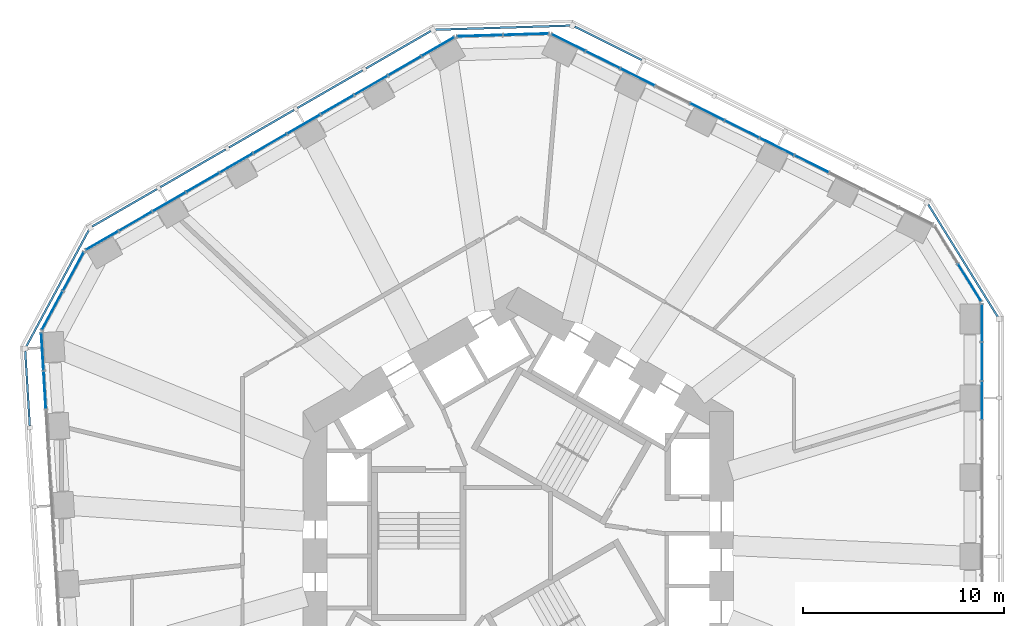
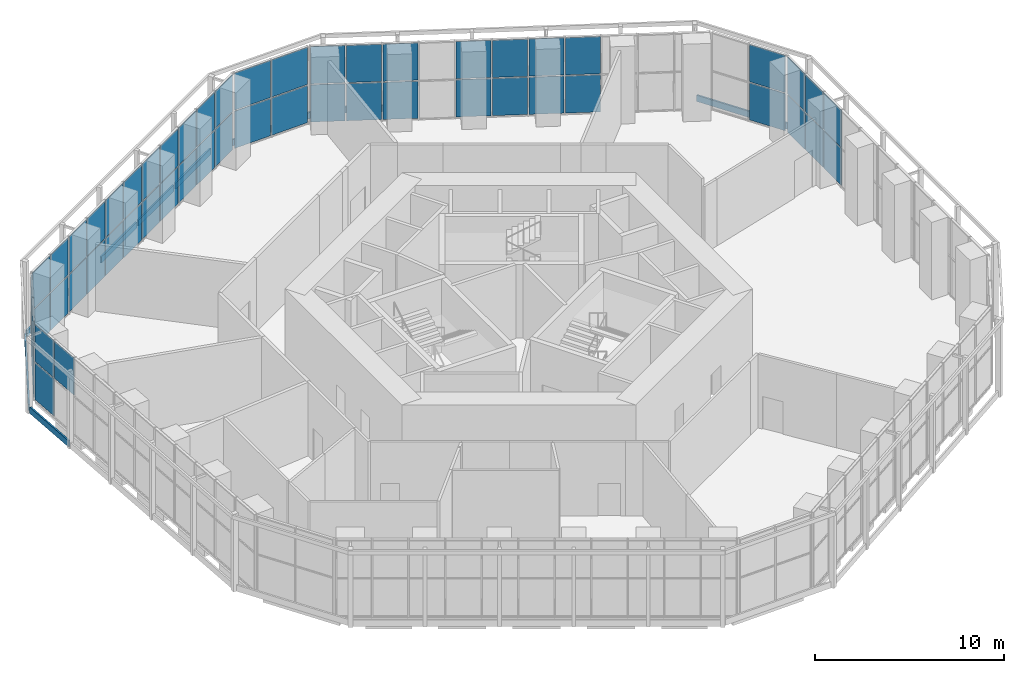
# One storey, part 12 of 19: 65 plates, 13 elements without a shape of their own.
"""IFC4 building model written with IfcOpenShell, lengths in metres."""

from ifc_helpers import new_model, si_unit, direction, frame, origin, origin_2d, place, context, subcontext, project, spatial, rectangle, extrude, material, layer, layer_set, type_object, element, aggregate, save


model = new_model("IFC4")

# Units and contexts
model_context = context("Model", 3, precision=1e-05, world=origin(), true_north=direction((0.0, 1.0)))
body_context = subcontext(model_context, "Body", "Model", "MODEL_VIEW")
ifc_project = project(units=[si_unit("LENGTHUNIT", "METRE"), si_unit("AREAUNIT", "SQUARE_METRE"), si_unit("VOLUMEUNIT", "CUBIC_METRE"), si_unit("PLANEANGLEUNIT", "RADIAN"), si_unit("MASSUNIT", "GRAM", prefix="KILO")], contexts=[model_context])

# Site, building, storey
site_placement = place(None, origin())
site = spatial("IfcSite", under=ifc_project, at=site_placement, CompositionType="ELEMENT")
building_placement = place(site_placement, origin())
building = spatial("IfcBuilding", under=site, at=building_placement, Name="Vanh Sen Convention Tower", CompositionType="ELEMENT")
storey_placement = place(building_placement, frame((0.0, 0.0, 39.0)))
storey = spatial("IfcBuildingStorey", under=building, at=storey_placement, Name="L06", CompositionType="ELEMENT", Elevation=39.0)

# Curtain wall, plates
ifc_material_1 = material(Name="Aluminium structural glazing system", Category="aluminium")
curtain_wall_type_1 = type_object("IfcCurtainWallType", Name="Hotel lobby structural glazing", PredefinedType="NOTDEFINED", material=ifc_material_1)
curtain_wall_1_placement = place(storey_placement, origin())
curtain_wall_1 = element("IfcCurtainWall", 1, at=curtain_wall_1_placement, inside=storey, type_object=curtain_wall_type_1, Name="Hotel lobby glazing E L06", PredefinedType="NOTDEFINED")
ifc_material_2 = material(Name="Clear toughened safety glass", Category="glass")
ifc_layer_1 = layer(ifc_material_2, 0.035888671875)
ifc_layer_set_1 = layer_set([ifc_layer_1], Name="Clear toughened safety glass")
plate_type_1 = type_object("IfcPlateType", Name="Lobby glazing clear glass panel 36", PredefinedType="CURTAIN_PANEL", material=ifc_layer_set_1)
plate_1_placement = place(storey_placement, frame((23.050048828125, 6.73095703125, 0.070068359375), z_axis=(0.0, 0.0, 1.0), x_axis=(0.0, 1.0, 0.0)))
plate_1 = element("IfcPlate", 2, at=plate_1_placement, type_object=plate_type_1, Name="CW2 panel 9.1", PredefinedType="CURTAIN_PANEL", context=body_context, shape_type="SweptSolid", body=[
    extrude(rectangle(XDim=1.861572265625, YDim=0.035888671875, at=origin_2d()), origin(), (0.0, 0.0, 1.0), 2.39501953125),
])
plate_2_placement = place(storey_placement, frame((23.050048828125, 6.73095703125, 2.534912109375), z_axis=(0.0, 0.0, 1.0), x_axis=(0.0, 1.0, 0.0)))
plate_2 = element("IfcPlate", 3, at=plate_2_placement, type_object=plate_type_1, Name="CW2 panel 9.2", PredefinedType="CURTAIN_PANEL", context=body_context, shape_type="SweptSolid", body=[
    extrude(rectangle(XDim=1.861572265625, YDim=0.035888671875, at=origin_2d()), origin(), (0.0, 0.0, 1.0), 2.39501953125),
])
plate_3_placement = place(storey_placement, frame((23.050048828125, 8.662353515625, 0.070068359375), z_axis=(0.0, 0.0, 1.0), x_axis=(0.0, 1.0, 0.0)))
plate_3 = element("IfcPlate", 4, at=plate_3_placement, type_object=plate_type_1, Name="CW2 panel 10.1", PredefinedType="CURTAIN_PANEL", context=body_context, shape_type="SweptSolid", body=[
    extrude(rectangle(XDim=1.861572265625, YDim=0.035888671875, at=origin_2d()), origin(), (0.0, 0.0, 1.0), 2.39501953125),
])
plate_4_placement = place(storey_placement, frame((23.050048828125, 8.662353515625, 2.534912109375), z_axis=(0.0, 0.0, 1.0), x_axis=(0.0, 1.0, 0.0)))
plate_4 = element("IfcPlate", 5, at=plate_4_placement, type_object=plate_type_1, Name="CW2 panel 10.2", PredefinedType="CURTAIN_PANEL", context=body_context, shape_type="SweptSolid", body=[
    extrude(rectangle(XDim=1.861572265625, YDim=0.035888671875, at=origin_2d()), origin(), (0.0, 0.0, 1.0), 2.39501953125),
])
plate_5_placement = place(storey_placement, frame((23.050048828125, 10.576171875, 0.070068359375), z_axis=(0.0, 0.0, 1.0), x_axis=(0.0, 1.0, 0.0)))
plate_5 = element("IfcPlate", 6, at=plate_5_placement, type_object=plate_type_1, Name="CW2 panel 11.1", PredefinedType="CURTAIN_PANEL", context=body_context, shape_type="SweptSolid", body=[
    extrude(rectangle(XDim=1.826416015625, YDim=0.035888671875, at=origin_2d()), origin(), (0.0, 0.0, 1.0), 2.39501953125),
])
plate_6_placement = place(storey_placement, frame((23.050048828125, 10.576171875, 2.534912109375), z_axis=(0.0, 0.0, 1.0), x_axis=(0.0, 1.0, 0.0)))
plate_6 = element("IfcPlate", 7, at=plate_6_placement, type_object=plate_type_1, Name="CW2 panel 11.2", PredefinedType="CURTAIN_PANEL", context=body_context, shape_type="SweptSolid", body=[
    extrude(rectangle(XDim=1.826416015625, YDim=0.035888671875, at=origin_2d()), origin(), (0.0, 0.0, 1.0), 2.39501953125),
])
aggregate(curtain_wall_1, [plate_1, plate_2, plate_3, plate_4, plate_5, plate_6])

curtain_wall_2_placement = place(storey_placement, origin())
curtain_wall_2 = element("IfcCurtainWall", 8, at=curtain_wall_2_placement, inside=storey, type_object=curtain_wall_type_1, Name="Hotel lobby glazing CH1 L06", PredefinedType="NOTDEFINED")
plate_7_placement = place(storey_placement, frame((22.4345703125, 12.582275390625, 0.070068359375), z_axis=(0.0, 0.0, 1.0), x_axis=(-0.526205222812, 0.850357609177, 0.0)))
plate_7 = element("IfcPlate", 9, at=plate_7_placement, type_object=plate_type_1, Name="CW2 panel 1.1", PredefinedType="CURTAIN_PANEL", context=body_context, shape_type="SweptSolid", body=[
    extrude(rectangle(XDim=2.141845703125, YDim=0.035888671875, at=origin_2d()), origin(), (0.0, 0.0, 1.0), 2.39501953125),
])
plate_8_placement = place(storey_placement, frame((22.4345703125, 12.582275390625, 2.534912109375), z_axis=(0.0, 0.0, 1.0), x_axis=(-0.526205222812, 0.850357609177, 0.0)))
plate_8 = element("IfcPlate", 10, at=plate_8_placement, type_object=plate_type_1, Name="CW2 panel 1.2", PredefinedType="CURTAIN_PANEL", context=body_context, shape_type="SweptSolid", body=[
    extrude(rectangle(XDim=2.141845703125, YDim=0.035888671875, at=origin_2d()), origin(), (0.0, 0.0, 1.0), 2.39501953125),
])
aggregate(curtain_wall_2, [plate_7, plate_8])

curtain_wall_3_placement = place(storey_placement, origin())
curtain_wall_3 = element("IfcCurtainWall", 11, at=curtain_wall_3_placement, inside=storey, type_object=curtain_wall_type_1, Name="Hotel lobby glazing NE L06", PredefinedType="NOTDEFINED")
plate_9_placement = place(storey_placement, frame((14.580078125, 18.48681640625, 0.070068359375), z_axis=(0.0, 0.0, 1.0), x_axis=(-0.89493400144, 0.446198535483, 0.0)))
plate_9 = element("IfcPlate", 12, at=plate_9_placement, type_object=plate_type_1, Name="CW2 panel 4.1", PredefinedType="CURTAIN_PANEL", context=body_context, shape_type="SweptSolid", body=[
    extrude(rectangle(XDim=1.861572265625, YDim=0.035888671875, at=origin_2d()), origin(), (0.0, 0.0, 1.0), 2.39501953125),
])
plate_10_placement = place(storey_placement, frame((14.580078125, 18.48681640625, 2.534912109375), z_axis=(0.0, 0.0, 1.0), x_axis=(-0.89493400144, 0.446198535483, 0.0)))
plate_10 = element("IfcPlate", 13, at=plate_10_placement, type_object=plate_type_1, Name="CW2 panel 4.2", PredefinedType="CURTAIN_PANEL", context=body_context, shape_type="SweptSolid", body=[
    extrude(rectangle(XDim=1.861572265625, YDim=0.035888671875, at=origin_2d()), origin(), (0.0, 0.0, 1.0), 2.39501953125),
])
plate_11_placement = place(storey_placement, frame((12.8515625, 19.3486328125, 0.070068359375), z_axis=(0.0, 0.0, 1.0), x_axis=(-0.89493400144, 0.446198535483, 0.0)))
plate_11 = element("IfcPlate", 14, at=plate_11_placement, type_object=plate_type_1, Name="CW2 panel 5.1", PredefinedType="CURTAIN_PANEL", context=body_context, shape_type="SweptSolid", body=[
    extrude(rectangle(XDim=1.861572265625, YDim=0.035888671875, at=origin_2d()), origin(), (0.0, 0.0, 1.0), 2.39501953125),
])
plate_12_placement = place(storey_placement, frame((12.8515625, 19.3486328125, 2.534912109375), z_axis=(0.0, 0.0, 1.0), x_axis=(-0.89493400144, 0.446198535483, 0.0)))
plate_12 = element("IfcPlate", 15, at=plate_12_placement, type_object=plate_type_1, Name="CW2 panel 5.2", PredefinedType="CURTAIN_PANEL", context=body_context, shape_type="SweptSolid", body=[
    extrude(rectangle(XDim=1.861572265625, YDim=0.035888671875, at=origin_2d()), origin(), (0.0, 0.0, 1.0), 2.39501953125),
])
plate_13_placement = place(storey_placement, frame((11.123046875, 20.21044921875, 0.070068359375), z_axis=(0.0, 0.0, 1.0), x_axis=(-0.89493400144, 0.446198535483, 0.0)))
plate_13 = element("IfcPlate", 16, at=plate_13_placement, type_object=plate_type_1, Name="CW2 panel 6.1", PredefinedType="CURTAIN_PANEL", context=body_context, shape_type="SweptSolid", body=[
    extrude(rectangle(XDim=1.861572265625, YDim=0.035888671875, at=origin_2d()), origin(), (0.0, 0.0, 1.0), 2.39501953125),
])
plate_14_placement = place(storey_placement, frame((11.123046875, 20.21044921875, 2.534912109375), z_axis=(0.0, 0.0, 1.0), x_axis=(-0.89493400144, 0.446198535483, 0.0)))
plate_14 = element("IfcPlate", 17, at=plate_14_placement, type_object=plate_type_1, Name="CW2 panel 6.2", PredefinedType="CURTAIN_PANEL", context=body_context, shape_type="SweptSolid", body=[
    extrude(rectangle(XDim=1.861572265625, YDim=0.035888671875, at=origin_2d()), origin(), (0.0, 0.0, 1.0), 2.39501953125),
])
plate_15_placement = place(storey_placement, frame((9.39453125, 21.072265625, 0.070068359375), z_axis=(0.0, 0.0, 1.0), x_axis=(-0.89493400144, 0.446198535483, 0.0)))
plate_15 = element("IfcPlate", 18, at=plate_15_placement, type_object=plate_type_1, Name="CW2 panel 7.1", PredefinedType="CURTAIN_PANEL", context=body_context, shape_type="SweptSolid", body=[
    extrude(rectangle(XDim=1.861572265625, YDim=0.035888671875, at=origin_2d()), origin(), (0.0, 0.0, 1.0), 2.39501953125),
])
plate_16_placement = place(storey_placement, frame((9.39453125, 21.072265625, 2.534912109375), z_axis=(0.0, 0.0, 1.0), x_axis=(-0.89493400144, 0.446198535483, 0.0)))
plate_16 = element("IfcPlate", 19, at=plate_16_placement, type_object=plate_type_1, Name="CW2 panel 7.2", PredefinedType="CURTAIN_PANEL", context=body_context, shape_type="SweptSolid", body=[
    extrude(rectangle(XDim=1.861572265625, YDim=0.035888671875, at=origin_2d()), origin(), (0.0, 0.0, 1.0), 2.39501953125),
])
plate_17_placement = place(storey_placement, frame((5.937255859375, 22.7958984375, 0.070068359375), z_axis=(0.0, 0.0, 1.0), x_axis=(-0.89493400144, 0.446198535483, 0.0)))
plate_17 = element("IfcPlate", 20, at=plate_17_placement, type_object=plate_type_1, Name="CW2 panel 9.1", PredefinedType="CURTAIN_PANEL", context=body_context, shape_type="SweptSolid", body=[
    extrude(rectangle(XDim=1.861572265625, YDim=0.035888671875, at=origin_2d()), origin(), (0.0, 0.0, 1.0), 2.39501953125),
])
plate_18_placement = place(storey_placement, frame((5.937255859375, 22.7958984375, 2.534912109375), z_axis=(0.0, 0.0, 1.0), x_axis=(-0.89493400144, 0.446198535483, 0.0)))
plate_18 = element("IfcPlate", 21, at=plate_18_placement, type_object=plate_type_1, Name="CW2 panel 9.2", PredefinedType="CURTAIN_PANEL", context=body_context, shape_type="SweptSolid", body=[
    extrude(rectangle(XDim=1.861572265625, YDim=0.035888671875, at=origin_2d()), origin(), (0.0, 0.0, 1.0), 2.39501953125),
])
plate_19_placement = place(storey_placement, frame((4.208740234375, 23.65771484375, 0.070068359375), z_axis=(0.0, 0.0, 1.0), x_axis=(-0.89493400144, 0.446198535483, 0.0)))
plate_19 = element("IfcPlate", 22, at=plate_19_placement, type_object=plate_type_1, Name="CW2 panel 10.1", PredefinedType="CURTAIN_PANEL", context=body_context, shape_type="SweptSolid", body=[
    extrude(rectangle(XDim=1.861572265625, YDim=0.035888671875, at=origin_2d()), origin(), (0.0, 0.0, 1.0), 2.39501953125),
])
plate_20_placement = place(storey_placement, frame((4.208740234375, 23.65771484375, 2.534912109375), z_axis=(0.0, 0.0, 1.0), x_axis=(-0.89493400144, 0.446198535483, 0.0)))
plate_20 = element("IfcPlate", 23, at=plate_20_placement, type_object=plate_type_1, Name="CW2 panel 10.2", PredefinedType="CURTAIN_PANEL", context=body_context, shape_type="SweptSolid", body=[
    extrude(rectangle(XDim=1.861572265625, YDim=0.035888671875, at=origin_2d()), origin(), (0.0, 0.0, 1.0), 2.39501953125),
])
plate_21_placement = place(storey_placement, frame((2.495849609375, 24.51171875, 0.070068359375), z_axis=(0.0, 0.0, 1.0), x_axis=(-0.89493400144, 0.446198535483, 0.0)))
plate_21 = element("IfcPlate", 24, at=plate_21_placement, type_object=plate_type_1, Name="CW2 panel 11.1", PredefinedType="CURTAIN_PANEL", context=body_context, shape_type="SweptSolid", body=[
    extrude(rectangle(XDim=1.826416015625, YDim=0.035888671875, at=origin_2d()), origin(), (0.0, 0.0, 1.0), 2.39501953125),
])
plate_22_placement = place(storey_placement, frame((2.495849609375, 24.51171875, 2.534912109375), z_axis=(0.0, 0.0, 1.0), x_axis=(-0.89493400144, 0.446198535483, 0.0)))
plate_22 = element("IfcPlate", 25, at=plate_22_placement, type_object=plate_type_1, Name="CW2 panel 11.2", PredefinedType="CURTAIN_PANEL", context=body_context, shape_type="SweptSolid", body=[
    extrude(rectangle(XDim=1.826416015625, YDim=0.035888671875, at=origin_2d()), origin(), (0.0, 0.0, 1.0), 2.39501953125),
])
aggregate(curtain_wall_3, [plate_9, plate_10, plate_11, plate_12, plate_13, plate_14, plate_15, plate_16, plate_17, plate_18, plate_19, plate_20, plate_21, plate_22])

curtain_wall_4_placement = place(storey_placement, origin())
curtain_wall_4 = element("IfcCurtainWall", 26, at=curtain_wall_4_placement, inside=storey, type_object=curtain_wall_type_1, Name="Hotel lobby glazing CH2 L06", PredefinedType="NOTDEFINED")
plate_23_placement = place(storey_placement, frame((0.386474609375, 24.9248046875, 0.070068359375), z_axis=(0.0, 0.0, 1.0), x_axis=(-0.999533587529, -0.030538621474, 0.0)))
plate_23 = element("IfcPlate", 27, at=plate_23_placement, type_object=plate_type_1, Name="CW2 panel 1.1", PredefinedType="CURTAIN_PANEL", context=body_context, shape_type="SweptSolid", body=[
    extrude(rectangle(XDim=2.224853515625, YDim=0.035888671875, at=origin_2d()), origin(), (0.0, 0.0, 1.0), 2.39501953125),
])
plate_24_placement = place(storey_placement, frame((0.386474609375, 24.9248046875, 2.534912109375), z_axis=(0.0, 0.0, 1.0), x_axis=(-0.999533587529, -0.030538621474, 0.0)))
plate_24 = element("IfcPlate", 28, at=plate_24_placement, type_object=plate_type_1, Name="CW2 panel 1.2", PredefinedType="CURTAIN_PANEL", context=body_context, shape_type="SweptSolid", body=[
    extrude(rectangle(XDim=2.224853515625, YDim=0.035888671875, at=origin_2d()), origin(), (0.0, 0.0, 1.0), 2.39501953125),
])
plate_25_placement = place(storey_placement, frame((-1.9072265625, 24.854736328125, 0.070068359375), z_axis=(0.0, 0.0, 1.0), x_axis=(-0.999533587529, -0.030538621474, 0.0)))
plate_25 = element("IfcPlate", 29, at=plate_25_placement, type_object=plate_type_1, Name="CW2 panel 2.1", PredefinedType="CURTAIN_PANEL", context=body_context, shape_type="SweptSolid", body=[
    extrude(rectangle(XDim=2.224853515625, YDim=0.035888671875, at=origin_2d()), origin(), (0.0, 0.0, 1.0), 2.39501953125),
])
plate_26_placement = place(storey_placement, frame((-1.9072265625, 24.854736328125, 2.534912109375), z_axis=(0.0, 0.0, 1.0), x_axis=(-0.999533587529, -0.030538621474, 0.0)))
plate_26 = element("IfcPlate", 30, at=plate_26_placement, type_object=plate_type_1, Name="CW2 panel 2.2", PredefinedType="CURTAIN_PANEL", context=body_context, shape_type="SweptSolid", body=[
    extrude(rectangle(XDim=2.224853515625, YDim=0.035888671875, at=origin_2d()), origin(), (0.0, 0.0, 1.0), 2.39501953125),
])
aggregate(curtain_wall_4, [plate_23, plate_24, plate_25, plate_26])

curtain_wall_5_placement = place(storey_placement, origin())
curtain_wall_5 = element("IfcCurtainWall", 31, at=curtain_wall_5_placement, inside=storey, type_object=curtain_wall_type_1, Name="Hotel lobby glazing NW L06", PredefinedType="NOTDEFINED")
plate_27_placement = place(storey_placement, frame((-3.987548828125, 24.3134765625, 0.070068359375), z_axis=(0.0, 0.0, 1.0), x_axis=(-0.866024827991, -0.500000997302, 0.0)))
plate_27 = element("IfcPlate", 32, at=plate_27_placement, type_object=plate_type_1, Name="CW2 panel 1.1", PredefinedType="CURTAIN_PANEL", context=body_context, shape_type="SweptSolid", body=[
    extrude(rectangle(XDim=1.826416015625, YDim=0.035888671875, at=origin_2d()), origin(), (0.0, 0.0, 1.0), 2.39501953125),
])
plate_28_placement = place(storey_placement, frame((-3.987548828125, 24.3134765625, 2.534912109375), z_axis=(0.0, 0.0, 1.0), x_axis=(-0.866024827991, -0.500000997302, 0.0)))
plate_28 = element("IfcPlate", 33, at=plate_28_placement, type_object=plate_type_1, Name="CW2 panel 1.2", PredefinedType="CURTAIN_PANEL", context=body_context, shape_type="SweptSolid", body=[
    extrude(rectangle(XDim=1.826416015625, YDim=0.035888671875, at=origin_2d()), origin(), (0.0, 0.0, 1.0), 2.39501953125),
])
plate_29_placement = place(storey_placement, frame((-5.645263671875, 23.356689453125, 0.070068359375), z_axis=(0.0, 0.0, 1.0), x_axis=(-0.866024827991, -0.500000997302, 0.0)))
plate_29 = element("IfcPlate", 34, at=plate_29_placement, type_object=plate_type_1, Name="CW2 panel 2.1", PredefinedType="CURTAIN_PANEL", context=body_context, shape_type="SweptSolid", body=[
    extrude(rectangle(XDim=1.861572265625, YDim=0.035888671875, at=origin_2d()), origin(), (0.0, 0.0, 1.0), 2.39501953125),
])
plate_30_placement = place(storey_placement, frame((-5.645263671875, 23.356689453125, 2.534912109375), z_axis=(0.0, 0.0, 1.0), x_axis=(-0.866024827991, -0.500000997302, 0.0)))
plate_30 = element("IfcPlate", 35, at=plate_30_placement, type_object=plate_type_1, Name="CW2 panel 2.2", PredefinedType="CURTAIN_PANEL", context=body_context, shape_type="SweptSolid", body=[
    extrude(rectangle(XDim=1.861572265625, YDim=0.035888671875, at=origin_2d()), origin(), (0.0, 0.0, 1.0), 2.39501953125),
])
plate_31_placement = place(storey_placement, frame((-7.31787109375, 22.390869140625, 0.070068359375), z_axis=(0.0, 0.0, 1.0), x_axis=(-0.866024827991, -0.500000997302, 0.0)))
plate_31 = element("IfcPlate", 36, at=plate_31_placement, type_object=plate_type_1, Name="CW2 panel 3.1", PredefinedType="CURTAIN_PANEL", context=body_context, shape_type="SweptSolid", body=[
    extrude(rectangle(XDim=1.861572265625, YDim=0.035888671875, at=origin_2d()), origin(), (0.0, 0.0, 1.0), 2.39501953125),
])
plate_32_placement = place(storey_placement, frame((-7.31787109375, 22.390869140625, 2.534912109375), z_axis=(0.0, 0.0, 1.0), x_axis=(-0.866024827991, -0.500000997302, 0.0)))
plate_32 = element("IfcPlate", 37, at=plate_32_placement, type_object=plate_type_1, Name="CW2 panel 3.2", PredefinedType="CURTAIN_PANEL", context=body_context, shape_type="SweptSolid", body=[
    extrude(rectangle(XDim=1.861572265625, YDim=0.035888671875, at=origin_2d()), origin(), (0.0, 0.0, 1.0), 2.39501953125),
])
plate_33_placement = place(storey_placement, frame((-8.990478515625, 21.425048828125, 0.070068359375), z_axis=(0.0, 0.0, 1.0), x_axis=(-0.866024827991, -0.500000997302, 0.0)))
plate_33 = element("IfcPlate", 38, at=plate_33_placement, type_object=plate_type_1, Name="CW2 panel 4.1", PredefinedType="CURTAIN_PANEL", context=body_context, shape_type="SweptSolid", body=[
    extrude(rectangle(XDim=1.861572265625, YDim=0.035888671875, at=origin_2d()), origin(), (0.0, 0.0, 1.0), 2.39501953125),
])
plate_34_placement = place(storey_placement, frame((-8.990478515625, 21.425048828125, 2.534912109375), z_axis=(0.0, 0.0, 1.0), x_axis=(-0.866024827991, -0.500000997302, 0.0)))
plate_34 = element("IfcPlate", 39, at=plate_34_placement, type_object=plate_type_1, Name="CW2 panel 4.2", PredefinedType="CURTAIN_PANEL", context=body_context, shape_type="SweptSolid", body=[
    extrude(rectangle(XDim=1.861572265625, YDim=0.035888671875, at=origin_2d()), origin(), (0.0, 0.0, 1.0), 2.39501953125),
])
plate_35_placement = place(storey_placement, frame((-10.663330078125, 20.45947265625, 0.070068359375), z_axis=(0.0, 0.0, 1.0), x_axis=(-0.866024827991, -0.500000997302, 0.0)))
plate_35 = element("IfcPlate", 40, at=plate_35_placement, type_object=plate_type_1, Name="CW2 panel 5.1", PredefinedType="CURTAIN_PANEL", context=body_context, shape_type="SweptSolid", body=[
    extrude(rectangle(XDim=1.861572265625, YDim=0.035888671875, at=origin_2d()), origin(), (0.0, 0.0, 1.0), 2.39501953125),
])
plate_36_placement = place(storey_placement, frame((-10.663330078125, 20.45947265625, 2.534912109375), z_axis=(0.0, 0.0, 1.0), x_axis=(-0.866024827991, -0.500000997302, 0.0)))
plate_36 = element("IfcPlate", 41, at=plate_36_placement, type_object=plate_type_1, Name="CW2 panel 5.2", PredefinedType="CURTAIN_PANEL", context=body_context, shape_type="SweptSolid", body=[
    extrude(rectangle(XDim=1.861572265625, YDim=0.035888671875, at=origin_2d()), origin(), (0.0, 0.0, 1.0), 2.39501953125),
])
plate_37_placement = place(storey_placement, frame((-12.3359375, 19.49365234375, 0.070068359375), z_axis=(0.0, 0.0, 1.0), x_axis=(-0.866024827991, -0.500000997302, 0.0)))
plate_37 = element("IfcPlate", 42, at=plate_37_placement, type_object=plate_type_1, Name="CW2 panel 6.1", PredefinedType="CURTAIN_PANEL", context=body_context, shape_type="SweptSolid", body=[
    extrude(rectangle(XDim=1.861572265625, YDim=0.035888671875, at=origin_2d()), origin(), (0.0, 0.0, 1.0), 2.39501953125),
])
plate_38_placement = place(storey_placement, frame((-12.3359375, 19.49365234375, 2.534912109375), z_axis=(0.0, 0.0, 1.0), x_axis=(-0.866024827991, -0.500000997302, 0.0)))
plate_38 = element("IfcPlate", 43, at=plate_38_placement, type_object=plate_type_1, Name="CW2 panel 6.2", PredefinedType="CURTAIN_PANEL", context=body_context, shape_type="SweptSolid", body=[
    extrude(rectangle(XDim=1.861572265625, YDim=0.035888671875, at=origin_2d()), origin(), (0.0, 0.0, 1.0), 2.39501953125),
])
plate_39_placement = place(storey_placement, frame((-14.008544921875, 18.52783203125, 0.070068359375), z_axis=(0.0, 0.0, 1.0), x_axis=(-0.866024827991, -0.500000997302, 0.0)))
plate_39 = element("IfcPlate", 44, at=plate_39_placement, type_object=plate_type_1, Name="CW2 panel 7.1", PredefinedType="CURTAIN_PANEL", context=body_context, shape_type="SweptSolid", body=[
    extrude(rectangle(XDim=1.861572265625, YDim=0.035888671875, at=origin_2d()), origin(), (0.0, 0.0, 1.0), 2.39501953125),
])
plate_40_placement = place(storey_placement, frame((-14.008544921875, 18.52783203125, 2.534912109375), z_axis=(0.0, 0.0, 1.0), x_axis=(-0.866024827991, -0.500000997302, 0.0)))
plate_40 = element("IfcPlate", 45, at=plate_40_placement, type_object=plate_type_1, Name="CW2 panel 7.2", PredefinedType="CURTAIN_PANEL", context=body_context, shape_type="SweptSolid", body=[
    extrude(rectangle(XDim=1.861572265625, YDim=0.035888671875, at=origin_2d()), origin(), (0.0, 0.0, 1.0), 2.39501953125),
])
plate_41_placement = place(storey_placement, frame((-15.681396484375, 17.562255859375, 0.070068359375), z_axis=(0.0, 0.0, 1.0), x_axis=(-0.866024827991, -0.500000997302, 0.0)))
plate_41 = element("IfcPlate", 46, at=plate_41_placement, type_object=plate_type_1, Name="CW2 panel 8.1", PredefinedType="CURTAIN_PANEL", context=body_context, shape_type="SweptSolid", body=[
    extrude(rectangle(XDim=1.861572265625, YDim=0.035888671875, at=origin_2d()), origin(), (0.0, 0.0, 1.0), 2.39501953125),
])
plate_42_placement = place(storey_placement, frame((-15.681396484375, 17.562255859375, 2.534912109375), z_axis=(0.0, 0.0, 1.0), x_axis=(-0.866024827991, -0.500000997302, 0.0)))
plate_42 = element("IfcPlate", 47, at=plate_42_placement, type_object=plate_type_1, Name="CW2 panel 8.2", PredefinedType="CURTAIN_PANEL", context=body_context, shape_type="SweptSolid", body=[
    extrude(rectangle(XDim=1.861572265625, YDim=0.035888671875, at=origin_2d()), origin(), (0.0, 0.0, 1.0), 2.39501953125),
])
plate_43_placement = place(storey_placement, frame((-17.35400390625, 16.596435546875, 0.070068359375), z_axis=(0.0, 0.0, 1.0), x_axis=(-0.866024827991, -0.500000997302, 0.0)))
plate_43 = element("IfcPlate", 48, at=plate_43_placement, type_object=plate_type_1, Name="CW2 panel 9.1", PredefinedType="CURTAIN_PANEL", context=body_context, shape_type="SweptSolid", body=[
    extrude(rectangle(XDim=1.861572265625, YDim=0.035888671875, at=origin_2d()), origin(), (0.0, 0.0, 1.0), 2.39501953125),
])
plate_44_placement = place(storey_placement, frame((-17.35400390625, 16.596435546875, 2.534912109375), z_axis=(0.0, 0.0, 1.0), x_axis=(-0.866024827991, -0.500000997302, 0.0)))
plate_44 = element("IfcPlate", 49, at=plate_44_placement, type_object=plate_type_1, Name="CW2 panel 9.2", PredefinedType="CURTAIN_PANEL", context=body_context, shape_type="SweptSolid", body=[
    extrude(rectangle(XDim=1.861572265625, YDim=0.035888671875, at=origin_2d()), origin(), (0.0, 0.0, 1.0), 2.39501953125),
])
plate_45_placement = place(storey_placement, frame((-19.02685546875, 15.630615234375, 0.070068359375), z_axis=(0.0, 0.0, 1.0), x_axis=(-0.866024827991, -0.500000997302, 0.0)))
plate_45 = element("IfcPlate", 50, at=plate_45_placement, type_object=plate_type_1, Name="CW2 panel 10.1", PredefinedType="CURTAIN_PANEL", context=body_context, shape_type="SweptSolid", body=[
    extrude(rectangle(XDim=1.861572265625, YDim=0.035888671875, at=origin_2d()), origin(), (0.0, 0.0, 1.0), 2.39501953125),
])
plate_46_placement = place(storey_placement, frame((-19.02685546875, 15.630615234375, 2.534912109375), z_axis=(0.0, 0.0, 1.0), x_axis=(-0.866024827991, -0.500000997302, 0.0)))
plate_46 = element("IfcPlate", 51, at=plate_46_placement, type_object=plate_type_1, Name="CW2 panel 10.2", PredefinedType="CURTAIN_PANEL", context=body_context, shape_type="SweptSolid", body=[
    extrude(rectangle(XDim=1.861572265625, YDim=0.035888671875, at=origin_2d()), origin(), (0.0, 0.0, 1.0), 2.39501953125),
])
plate_47_placement = place(storey_placement, frame((-20.684326171875, 14.673828125, 0.070068359375), z_axis=(0.0, 0.0, 1.0), x_axis=(-0.866024827991, -0.500000997302, 0.0)))
plate_47 = element("IfcPlate", 52, at=plate_47_placement, type_object=plate_type_1, Name="CW2 panel 11.1", PredefinedType="CURTAIN_PANEL", context=body_context, shape_type="SweptSolid", body=[
    extrude(rectangle(XDim=1.826416015625, YDim=0.035888671875, at=origin_2d()), origin(), (0.0, 0.0, 1.0), 2.39501953125),
])
plate_48_placement = place(storey_placement, frame((-20.684326171875, 14.673828125, 2.534912109375), z_axis=(0.0, 0.0, 1.0), x_axis=(-0.866024827991, -0.500000997302, 0.0)))
plate_48 = element("IfcPlate", 53, at=plate_48_placement, type_object=plate_type_1, Name="CW2 panel 11.2", PredefinedType="CURTAIN_PANEL", context=body_context, shape_type="SweptSolid", body=[
    extrude(rectangle(XDim=1.826416015625, YDim=0.035888671875, at=origin_2d()), origin(), (0.0, 0.0, 1.0), 2.39501953125),
])
aggregate(curtain_wall_5, [plate_27, plate_28, plate_29, plate_30, plate_31, plate_32, plate_33, plate_34, plate_35, plate_36, plate_37, plate_38, plate_39, plate_40, plate_41, plate_42, plate_43, plate_44, plate_45, plate_46, plate_47, plate_48])

curtain_wall_6_placement = place(storey_placement, origin())
curtain_wall_6 = element("IfcCurtainWall", 54, at=curtain_wall_6_placement, inside=storey, type_object=curtain_wall_type_1, Name="Hotel lobby glazing CH3 L06", PredefinedType="NOTDEFINED")
plate_49_placement = place(storey_placement, frame((-22.114013671875, 13.1376953125, 0.070068359375), z_axis=(0.0, 0.0, 1.0), x_axis=(-0.473331321433, -0.880884476053, 0.0)))
plate_49 = element("IfcPlate", 55, at=plate_49_placement, type_object=plate_type_1, Name="CW2 panel 1.1", PredefinedType="CURTAIN_PANEL", context=body_context, shape_type="SweptSolid", body=[
    extrude(rectangle(XDim=2.141845703125, YDim=0.035888671875, at=origin_2d()), origin(), (0.0, 0.0, 1.0), 2.39501953125),
])
plate_50_placement = place(storey_placement, frame((-22.114013671875, 13.1376953125, 2.534912109375), z_axis=(0.0, 0.0, 1.0), x_axis=(-0.473331321433, -0.880884476053, 0.0)))
plate_50 = element("IfcPlate", 56, at=plate_50_placement, type_object=plate_type_1, Name="CW2 panel 1.2", PredefinedType="CURTAIN_PANEL", context=body_context, shape_type="SweptSolid", body=[
    extrude(rectangle(XDim=2.141845703125, YDim=0.035888671875, at=origin_2d()), origin(), (0.0, 0.0, 1.0), 2.39501953125),
])
plate_51_placement = place(storey_placement, frame((-23.160888671875, 11.189208984375, 0.070068359375), z_axis=(0.0, 0.0, 1.0), x_axis=(-0.473331321433, -0.880884476053, 0.0)))
plate_51 = element("IfcPlate", 57, at=plate_51_placement, type_object=plate_type_1, Name="CW2 panel 2.1", PredefinedType="CURTAIN_PANEL", context=body_context, shape_type="SweptSolid", body=[
    extrude(rectangle(XDim=2.141845703125, YDim=0.035888671875, at=origin_2d()), origin(), (0.0, 0.0, 1.0), 2.39501953125),
])
plate_52_placement = place(storey_placement, frame((-23.160888671875, 11.189208984375, 2.534912109375), z_axis=(0.0, 0.0, 1.0), x_axis=(-0.473331321433, -0.880884476053, 0.0)))
plate_52 = element("IfcPlate", 58, at=plate_52_placement, type_object=plate_type_1, Name="CW2 panel 2.2", PredefinedType="CURTAIN_PANEL", context=body_context, shape_type="SweptSolid", body=[
    extrude(rectangle(XDim=2.141845703125, YDim=0.035888671875, at=origin_2d()), origin(), (0.0, 0.0, 1.0), 2.39501953125),
])
aggregate(curtain_wall_6, [plate_49, plate_50, plate_51, plate_52])

curtain_wall_7_placement = place(storey_placement, origin())
curtain_wall_7 = element("IfcCurtainWall", 59, at=curtain_wall_7_placement, inside=storey, type_object=curtain_wall_type_1, Name="Hotel lobby glazing W L06", PredefinedType="NOTDEFINED")
plate_53_placement = place(storey_placement, frame((-23.652587890625, 9.1494140625, 0.070068359375), z_axis=(0.0, 0.0, 1.0), x_axis=(0.06104613772, -0.99813494532, 0.0)))
plate_53 = element("IfcPlate", 60, at=plate_53_placement, type_object=plate_type_1, Name="CW2 panel 1.1", PredefinedType="CURTAIN_PANEL", context=body_context, shape_type="SweptSolid", body=[
    extrude(rectangle(XDim=1.826416015625, YDim=0.035888671875, at=origin_2d()), origin(), (0.0, 0.0, 1.0), 2.39501953125),
])
plate_54_placement = place(storey_placement, frame((-23.652587890625, 9.1494140625, 2.534912109375), z_axis=(0.0, 0.0, 1.0), x_axis=(0.06104613772, -0.99813494532, 0.0)))
plate_54 = element("IfcPlate", 61, at=plate_54_placement, type_object=plate_type_1, Name="CW2 panel 1.2", PredefinedType="CURTAIN_PANEL", context=body_context, shape_type="SweptSolid", body=[
    extrude(rectangle(XDim=1.826416015625, YDim=0.035888671875, at=origin_2d()), origin(), (0.0, 0.0, 1.0), 2.39501953125),
])
plate_55_placement = place(storey_placement, frame((-23.535888671875, 7.239013671875, 2.534912109375), z_axis=(0.0, 0.0, 1.0), x_axis=(0.06104613772, -0.99813494532, 0.0)))
plate_55 = element("IfcPlate", 62, at=plate_55_placement, type_object=plate_type_1, Name="CW2 panel 2.2", PredefinedType="CURTAIN_PANEL", context=body_context, shape_type="SweptSolid", body=[
    extrude(rectangle(XDim=1.861572265625, YDim=0.035888671875, at=origin_2d()), origin(), (0.0, 0.0, 1.0), 2.39501953125),
])
aggregate(curtain_wall_7, [plate_53, plate_54, plate_55])

# Curtain wall, plate
ifc_material_3 = material(Name="Concrete C50/60", Category="concrete")
curtain_wall_type_2 = type_object("IfcCurtainWallType", Name="Outer skin hotel zone", PredefinedType="NOTDEFINED", material=ifc_material_3)
curtain_wall_8_placement = place(storey_placement, origin())
curtain_wall_8 = element("IfcCurtainWall", 63, at=curtain_wall_8_placement, inside=storey, type_object=curtain_wall_type_2, Name="OUTER SKIN CH1 L06", PredefinedType="NOTDEFINED")
ifc_layer_2 = layer(ifc_material_3, 0.10009765625)
ifc_layer_set_2 = layer_set([ifc_layer_2], Name="Concrete C50/60")
plate_type_2 = type_object("IfcPlateType", Name="Outer skin precast screen panel 100", PredefinedType="CURTAIN_PANEL", material=ifc_layer_set_2)
plate_56_placement = place(storey_placement, frame((22.102783203125, 13.677734375, 0.0), z_axis=(0.0, 0.0, 1.0), x_axis=(-0.526212439506, 0.850353143411, 0.0)))
plate_56 = element("IfcPlate", 64, at=plate_56_placement, type_object=plate_type_2, Name="OUTER SKIN screen panel CH1-1", PredefinedType="CURTAIN_PANEL", context=body_context, shape_type="SweptSolid", body=[
    extrude(rectangle(XDim=6.580078125, YDim=0.10009765625, at=origin_2d()), origin(), (0.0, 0.0, 1.0), 0.39990234375),
])
aggregate(curtain_wall_8, [plate_56])

curtain_wall_9_placement = place(storey_placement, origin())
curtain_wall_9 = element("IfcCurtainWall", 65, at=curtain_wall_9_placement, inside=storey, type_object=curtain_wall_type_2, Name="OUTER SKIN NE L06", PredefinedType="NOTDEFINED")
plate_57_placement = place(storey_placement, frame((4.4716796875, 24.476318359375, 0.0), z_axis=(0.0, 0.0, 1.0), x_axis=(-0.894935140363, 0.446196251154, 0.0)))
plate_57 = element("IfcPlate", 66, at=plate_57_placement, type_object=plate_type_2, Name="OUTER SKIN screen panel NE-5", PredefinedType="CURTAIN_PANEL", context=body_context, shape_type="SweptSolid", body=[
    extrude(rectangle(XDim=3.709716796875, YDim=0.10009765625, at=origin_2d()), origin(), (0.0, 0.0, 1.0), 0.39990234375),
])
aggregate(curtain_wall_9, [plate_57])

curtain_wall_10_placement = place(storey_placement, origin())
curtain_wall_10 = element("IfcCurtainWall", 67, at=curtain_wall_10_placement, inside=storey, type_object=curtain_wall_type_2, Name="OUTER SKIN CH2 L06", PredefinedType="NOTDEFINED")
plate_58_placement = place(storey_placement, frame((-0.771484375, 25.253662109375, 0.0), z_axis=(0.0, 0.0, 1.0), x_axis=(-0.999533644135, -0.030536768695, 0.0)))
plate_58 = element("IfcPlate", 68, at=plate_58_placement, type_object=plate_type_2, Name="OUTER SKIN screen panel CH2-1", PredefinedType="CURTAIN_PANEL", context=body_context, shape_type="SweptSolid", body=[
    extrude(rectangle(XDim=6.696044921875, YDim=0.10009765625, at=origin_2d()), origin(), (0.0, 0.0, 1.0), 0.39990234375),
])
aggregate(curtain_wall_10, [plate_58])

# Curtain wall, plates
curtain_wall_11_placement = place(storey_placement, origin())
curtain_wall_11 = element("IfcCurtainWall", 69, at=curtain_wall_11_placement, inside=storey, type_object=curtain_wall_type_2, Name="OUTER SKIN NW L06", PredefinedType="NOTDEFINED")
plate_59_placement = place(storey_placement, frame((-5.95751953125, 24.15771484375, 0.0), z_axis=(0.0, 0.0, 1.0), x_axis=(-0.866028021766, -0.499995465495, 0.0)))
plate_59 = element("IfcPlate", 70, at=plate_59_placement, type_object=plate_type_2, Name="OUTER SKIN screen panel NW-1", PredefinedType="CURTAIN_PANEL", context=body_context, shape_type="SweptSolid", body=[
    extrude(rectangle(XDim=3.709716796875, YDim=0.10009765625, at=origin_2d()), origin(), (0.0, 0.0, 1.0), 0.39990234375),
])
plate_60_placement = place(storey_placement, frame((-9.354248046875, 22.19677734375, 0.0), z_axis=(0.0, 0.0, 1.0), x_axis=(-0.866021040428, -0.500007557478, 0.0)))
plate_60 = element("IfcPlate", 71, at=plate_60_placement, type_object=plate_type_2, Name="OUTER SKIN screen panel NW-2", PredefinedType="CURTAIN_PANEL", context=body_context, shape_type="SweptSolid", body=[
    extrude(rectangle(XDim=3.734619140625, YDim=0.10009765625, at=origin_2d()), origin(), (0.0, 0.0, 1.0), 0.39990234375),
])
plate_61_placement = place(storey_placement, frame((-12.76171875, 20.2294921875, 0.0), z_axis=(0.0, 0.0, 1.0), x_axis=(-0.866028021766, -0.499995465495, 0.0)))
plate_61 = element("IfcPlate", 72, at=plate_61_placement, type_object=plate_type_2, Name="OUTER SKIN screen panel NW-3", PredefinedType="CURTAIN_PANEL", context=body_context, shape_type="SweptSolid", body=[
    extrude(rectangle(XDim=3.734619140625, YDim=0.10009765625, at=origin_2d()), origin(), (0.0, 0.0, 1.0), 0.39990234375),
])
plate_62_placement = place(storey_placement, frame((-16.169189453125, 18.26220703125, 0.0), z_axis=(0.0, 0.0, 1.0), x_axis=(-0.866028021766, -0.499995465495, 0.0)))
plate_62 = element("IfcPlate", 73, at=plate_62_placement, type_object=plate_type_2, Name="OUTER SKIN screen panel NW-4", PredefinedType="CURTAIN_PANEL", context=body_context, shape_type="SweptSolid", body=[
    extrude(rectangle(XDim=3.734619140625, YDim=0.10009765625, at=origin_2d()), origin(), (0.0, 0.0, 1.0), 0.39990234375),
])
plate_63_placement = place(storey_placement, frame((-19.56591796875, 16.301025390625, 0.0), z_axis=(0.0, 0.0, 1.0), x_axis=(-0.866021040428, -0.500007557478, 0.0)))
plate_63 = element("IfcPlate", 74, at=plate_63_placement, type_object=plate_type_2, Name="OUTER SKIN screen panel NW-5", PredefinedType="CURTAIN_PANEL", context=body_context, shape_type="SweptSolid", body=[
    extrude(rectangle(XDim=3.70947265625, YDim=0.10009765625, at=origin_2d()), origin(), (0.0, 0.0, 1.0), 0.39990234375),
])
aggregate(curtain_wall_11, [plate_59, plate_60, plate_61, plate_62, plate_63])

# Curtain wall, plate
curtain_wall_12_placement = place(storey_placement, origin())
curtain_wall_12 = element("IfcCurtainWall", 75, at=curtain_wall_12_placement, inside=storey, type_object=curtain_wall_type_2, Name="OUTER SKIN CH3 L06", PredefinedType="NOTDEFINED")
plate_64_placement = place(storey_placement, frame((-22.896728515625, 12.302978515625, 0.0), z_axis=(0.0, 0.0, 1.0), x_axis=(-0.47331812974, -0.880891564303, 0.0)))
plate_64 = element("IfcPlate", 76, at=plate_64_placement, type_object=plate_type_2, Name="OUTER SKIN screen panel CH3-1", PredefinedType="CURTAIN_PANEL", context=body_context, shape_type="SweptSolid", body=[
    extrude(rectangle(XDim=6.580078125, YDim=0.10009765625, at=origin_2d()), origin(), (0.0, 0.0, 1.0), 0.39990234375),
])
aggregate(curtain_wall_12, [plate_64])

curtain_wall_13_placement = place(storey_placement, origin())
curtain_wall_13 = element("IfcCurtainWall", 77, at=curtain_wall_13_placement, inside=storey, type_object=curtain_wall_type_2, Name="OUTER SKIN W L06", PredefinedType="NOTDEFINED")
plate_65_placement = place(storey_placement, frame((-24.39208984375, 7.318603515625, 0.0), z_axis=(0.0, 0.0, 1.0), x_axis=(0.061046797461, -0.99813490497, 0.0)))
plate_65 = element("IfcPlate", 78, at=plate_65_placement, type_object=plate_type_2, Name="OUTER SKIN screen panel W-1", PredefinedType="CURTAIN_PANEL", context=body_context, shape_type="SweptSolid", body=[
    extrude(rectangle(XDim=3.709716796875, YDim=0.10009765625, at=origin_2d()), origin(), (0.0, 0.0, 1.0), 0.39990234375),
])
aggregate(curtain_wall_13, [plate_65])

save(model, "model.ifc")
